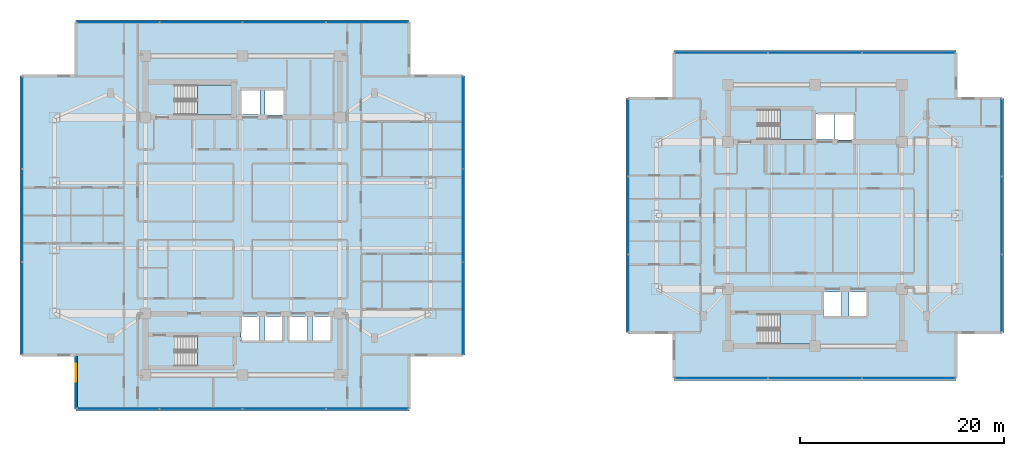
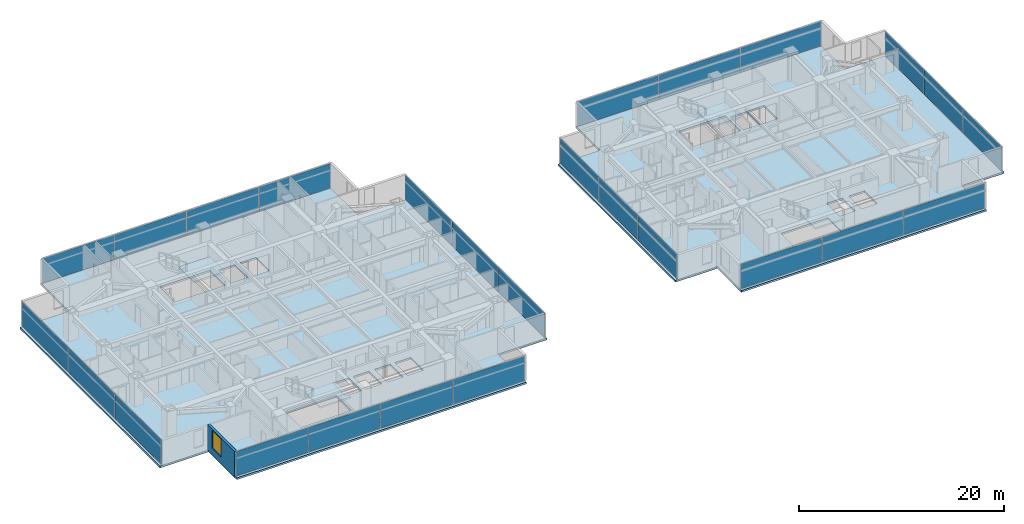
# One storey, part 11 of 24: 26 plates, 6 slabs, 1 wall, 1 window, 1 opening, 12 elements without a shape of their own.
"""IFC4 building model written with IfcOpenShell, lengths in metres."""

from ifc_helpers import new_model, si_unit, direction, frame, frame_2d, origin, origin_2d, place, context, subcontext, project, spatial, polyline, rectangle, outline, extrude, material, layer, layer_set, type_object, element, fill, aggregate, save


model = new_model("IFC4")

# Units and contexts
model_context = context("Model", 3, precision=1e-05, world=origin(), true_north=direction((0.0, 1.0)))
body_context = subcontext(model_context, "Body", "Model", "MODEL_VIEW")
ifc_project = project(units=[si_unit("LENGTHUNIT", "METRE"), si_unit("AREAUNIT", "SQUARE_METRE"), si_unit("VOLUMEUNIT", "CUBIC_METRE"), si_unit("PLANEANGLEUNIT", "RADIAN"), si_unit("MASSUNIT", "GRAM", prefix="KILO")], contexts=[model_context])

# Site, building, storey
site_placement = place(None, origin())
site = spatial("IfcSite", under=ifc_project, at=site_placement, CompositionType="ELEMENT")
building_placement = place(site_placement, origin())
building = spatial("IfcBuilding", under=site, at=building_placement, Name="Mirazonda Arch Towers", CompositionType="ELEMENT")
storey_placement = place(building_placement, frame((0.0, 0.0, 137.89990234375)))
storey = spatial("IfcBuildingStorey", under=building, at=storey_placement, Name="L39", CompositionType="ELEMENT", Elevation=137.89990234375)

# Curtain wall, plates
ifc_material_1 = material(Name="Anodised Aluminium and Low-E Glass", Category="aluminium")
curtain_wall_type = type_object("IfcCurtainWallType", Name="CW-HTL-UNIT", PredefinedType="NOTDEFINED", material=ifc_material_1)
curtain_wall_1_placement = place(storey_placement, origin())
curtain_wall_1 = element("IfcCurtainWall", 1, at=curtain_wall_1_placement, inside=storey, type_object=curtain_wall_type, Name="L39 T1 S Facade CW-L39-T1-S", PredefinedType="NOTDEFINED")
ifc_material_2 = material(Name="Insulated Low-E Solar Glass", Category="glass")
ifc_layer_1 = layer(ifc_material_2, 0.035888671875, Name="PAN-CW-HTL-UNIT")
ifc_layer_set_1 = layer_set([ifc_layer_1], Name="Insulated Low-E Solar Glass")
plate_type = type_object("IfcPlateType", Name="PAN-CW-HTL-UNIT", PredefinedType="CURTAIN_PANEL", material=ifc_layer_set_1)
plate_1_placement = place(storey_placement, frame((32.69873046875, 9.092041015625, 0.0751953125), z_axis=(0.0, 0.0, 1.0), x_axis=(-1.0, 0.0, 0.0)))
plate_1 = element("IfcPlate", 2, at=plate_1_placement, type_object=plate_type, Name="CW-112 panel 1.1", PredefinedType="CURTAIN_PANEL", context=body_context, shape_type="SweptSolid", body=[
    extrude(rectangle(XDim=8.032470703125, YDim=0.035888671875, at=origin_2d()), origin(), (0.0, 0.0, 1.0), 2.909912109375),
])
plate_2_placement = place(storey_placement, frame((24.572509765625, 9.092041015625, 0.0751953125), z_axis=(0.0, 0.0, 1.0), x_axis=(-1.0, 0.0, 0.0)))
plate_2 = element("IfcPlate", 3, at=plate_2_placement, type_object=plate_type, Name="CW-112 panel 2.1", PredefinedType="CURTAIN_PANEL", context=body_context, shape_type="SweptSolid", body=[
    extrude(rectangle(XDim=8.070068359375, YDim=0.035888671875, at=origin_2d()), origin(), (0.0, 0.0, 1.0), 2.909912109375),
])
plate_3_placement = place(storey_placement, frame((16.427490234375, 9.092041015625, 0.0751953125), z_axis=(0.0, 0.0, 1.0), x_axis=(-1.0, 0.0, 0.0)))
plate_3 = element("IfcPlate", 4, at=plate_3_placement, type_object=plate_type, Name="CW-112 panel 3.1", PredefinedType="CURTAIN_PANEL", context=body_context, shape_type="SweptSolid", body=[
    extrude(rectangle(XDim=8.070068359375, YDim=0.035888671875, at=origin_2d()), origin(), (0.0, 0.0, 1.0), 2.909912109375),
])
plate_4_placement = place(storey_placement, frame((8.30126953125, 9.092041015625, 0.0751953125), z_axis=(0.0, 0.0, 1.0), x_axis=(-1.0, 0.0, 0.0)))
plate_4 = element("IfcPlate", 5, at=plate_4_placement, type_object=plate_type, Name="CW-112 panel 4.1", PredefinedType="CURTAIN_PANEL", context=body_context, shape_type="SweptSolid", body=[
    extrude(rectangle(XDim=8.032470703125, YDim=0.035888671875, at=origin_2d()), origin(), (0.0, 0.0, 1.0), 2.909912109375),
])
aggregate(curtain_wall_1, [plate_1, plate_2, plate_3, plate_4])

curtain_wall_2_placement = place(storey_placement, origin())
curtain_wall_2 = element("IfcCurtainWall", 6, at=curtain_wall_2_placement, inside=storey, type_object=curtain_wall_type, Name="L39 T1 E Facade CW-L39-T1-E", PredefinedType="NOTDEFINED")
plate_5_placement = place(storey_placement, frame((42.06005859375, 18.9267578125, 0.0751953125), z_axis=(0.0, 0.0, 1.0), x_axis=(0.0, 1.0, 0.0)))
plate_5 = element("IfcPlate", 7, at=plate_5_placement, type_object=plate_type, Name="CW-112 panel 1.1", PredefinedType="CURTAIN_PANEL", context=body_context, shape_type="SweptSolid", body=[
    extrude(rectangle(XDim=8.9794921875, YDim=0.035888671875, at=origin_2d()), origin(), (0.0, 0.0, 1.0), 2.909912109375),
])
plate_6_placement = place(storey_placement, frame((42.06005859375, 28.0, 0.0751953125), z_axis=(0.0, 0.0, 1.0), x_axis=(0.0, 1.0, 0.0)))
plate_6 = element("IfcPlate", 8, at=plate_6_placement, type_object=plate_type, Name="CW-112 panel 2.1", PredefinedType="CURTAIN_PANEL", context=body_context, shape_type="SweptSolid", body=[
    extrude(rectangle(XDim=9.01708984375, YDim=0.035888671875, at=origin_2d()), origin(), (0.0, 0.0, 1.0), 2.909912109375),
])
plate_7_placement = place(storey_placement, frame((42.06005859375, 37.0732421875, 0.0751953125), z_axis=(0.0, 0.0, 1.0), x_axis=(0.0, 1.0, 0.0)))
plate_7 = element("IfcPlate", 9, at=plate_7_placement, type_object=plate_type, Name="CW-112 panel 3.1", PredefinedType="CURTAIN_PANEL", context=body_context, shape_type="SweptSolid", body=[
    extrude(rectangle(XDim=8.9794921875, YDim=0.035888671875, at=origin_2d()), origin(), (0.0, 0.0, 1.0), 2.909912109375),
])
aggregate(curtain_wall_2, [plate_5, plate_6, plate_7])

curtain_wall_3_placement = place(storey_placement, origin())
curtain_wall_3 = element("IfcCurtainWall", 10, at=curtain_wall_3_placement, inside=storey, type_object=curtain_wall_type, Name="L39 T1 N Facade CW-L39-T1-N", PredefinedType="NOTDEFINED")
plate_8_placement = place(storey_placement, frame((8.30126953125, 46.907958984375, 0.0751953125), z_axis=(0.0, 0.0, 1.0), x_axis=(1.0, 0.0, 0.0)))
plate_8 = element("IfcPlate", 11, at=plate_8_placement, type_object=plate_type, Name="CW-112 panel 1.1", PredefinedType="CURTAIN_PANEL", context=body_context, shape_type="SweptSolid", body=[
    extrude(rectangle(XDim=8.032470703125, YDim=0.035888671875, at=origin_2d()), origin(), (0.0, 0.0, 1.0), 2.909912109375),
])
plate_9_placement = place(storey_placement, frame((16.427490234375, 46.907958984375, 0.0751953125), z_axis=(0.0, 0.0, 1.0), x_axis=(1.0, 0.0, 0.0)))
plate_9 = element("IfcPlate", 12, at=plate_9_placement, type_object=plate_type, Name="CW-112 panel 2.1", PredefinedType="CURTAIN_PANEL", context=body_context, shape_type="SweptSolid", body=[
    extrude(rectangle(XDim=8.070068359375, YDim=0.035888671875, at=origin_2d()), origin(), (0.0, 0.0, 1.0), 2.909912109375),
])
plate_10_placement = place(storey_placement, frame((24.572509765625, 46.907958984375, 0.0751953125), z_axis=(0.0, 0.0, 1.0), x_axis=(1.0, 0.0, 0.0)))
plate_10 = element("IfcPlate", 13, at=plate_10_placement, type_object=plate_type, Name="CW-112 panel 3.1", PredefinedType="CURTAIN_PANEL", context=body_context, shape_type="SweptSolid", body=[
    extrude(rectangle(XDim=8.070068359375, YDim=0.035888671875, at=origin_2d()), origin(), (0.0, 0.0, 1.0), 2.909912109375),
])
plate_11_placement = place(storey_placement, frame((32.69873046875, 46.907958984375, 0.0751953125), z_axis=(0.0, 0.0, 1.0), x_axis=(1.0, 0.0, 0.0)))
plate_11 = element("IfcPlate", 14, at=plate_11_placement, type_object=plate_type, Name="CW-112 panel 4.1", PredefinedType="CURTAIN_PANEL", context=body_context, shape_type="SweptSolid", body=[
    extrude(rectangle(XDim=8.032470703125, YDim=0.035888671875, at=origin_2d()), origin(), (0.0, 0.0, 1.0), 2.909912109375),
])
aggregate(curtain_wall_3, [plate_8, plate_9, plate_10, plate_11])

curtain_wall_4_placement = place(storey_placement, origin())
curtain_wall_4 = element("IfcCurtainWall", 15, at=curtain_wall_4_placement, inside=storey, type_object=curtain_wall_type, Name="L39 T1 W Facade CW-L39-T1-W", PredefinedType="NOTDEFINED")
plate_12_placement = place(storey_placement, frame((-1.06005859375, 37.0732421875, 0.0751953125), z_axis=(0.0, 0.0, 1.0), x_axis=(0.0, -1.0, 0.0)))
plate_12 = element("IfcPlate", 16, at=plate_12_placement, type_object=plate_type, Name="CW-112 panel 1.1", PredefinedType="CURTAIN_PANEL", context=body_context, shape_type="SweptSolid", body=[
    extrude(rectangle(XDim=8.9794921875, YDim=0.035888671875, at=origin_2d()), origin(), (0.0, 0.0, 1.0), 2.909912109375),
])
plate_13_placement = place(storey_placement, frame((-1.06005859375, 28.0, 0.0751953125), z_axis=(0.0, 0.0, 1.0), x_axis=(0.0, -1.0, 0.0)))
plate_13 = element("IfcPlate", 17, at=plate_13_placement, type_object=plate_type, Name="CW-112 panel 2.1", PredefinedType="CURTAIN_PANEL", context=body_context, shape_type="SweptSolid", body=[
    extrude(rectangle(XDim=9.01708984375, YDim=0.035888671875, at=origin_2d()), origin(), (0.0, 0.0, 1.0), 2.909912109375),
])
plate_14_placement = place(storey_placement, frame((-1.06005859375, 18.9267578125, 0.0751953125), z_axis=(0.0, 0.0, 1.0), x_axis=(0.0, -1.0, 0.0)))
plate_14 = element("IfcPlate", 18, at=plate_14_placement, type_object=plate_type, Name="CW-112 panel 3.1", PredefinedType="CURTAIN_PANEL", context=body_context, shape_type="SweptSolid", body=[
    extrude(rectangle(XDim=8.9794921875, YDim=0.035888671875, at=origin_2d()), origin(), (0.0, 0.0, 1.0), 2.909912109375),
])
aggregate(curtain_wall_4, [plate_12, plate_13, plate_14])

curtain_wall_5_placement = place(storey_placement, origin())
curtain_wall_5 = element("IfcCurtainWall", 19, at=curtain_wall_5_placement, inside=storey, type_object=curtain_wall_type, Name="L39 T2 S Facade CW-L39-T2-S", PredefinedType="NOTDEFINED")
plate_15_placement = place(storey_placement, frame((85.67236328125, 12.081298828125, 0.0751953125), z_axis=(0.0, 0.0, 1.0), x_axis=(-1.0, 0.0, 0.0)))
plate_15 = element("IfcPlate", 20, at=plate_15_placement, type_object=plate_type, Name="CW-112 panel 1.1", PredefinedType="CURTAIN_PANEL", context=body_context, shape_type="SweptSolid", body=[
    extrude(rectangle(XDim=9.07861328125, YDim=0.035888671875, at=origin_2d()), origin(), (0.0, 0.0, 1.0), 2.909912109375),
])
plate_16_placement = place(storey_placement, frame((76.5, 12.081298828125, 0.0751953125), z_axis=(0.0, 0.0, 1.0), x_axis=(-1.0, 0.0, 0.0)))
plate_16 = element("IfcPlate", 21, at=plate_16_placement, type_object=plate_type, Name="CW-112 panel 2.1", PredefinedType="CURTAIN_PANEL", context=body_context, shape_type="SweptSolid", body=[
    extrude(rectangle(XDim=9.115966796875, YDim=0.035888671875, at=origin_2d()), origin(), (0.0, 0.0, 1.0), 2.909912109375),
])
plate_17_placement = place(storey_placement, frame((67.32763671875, 12.081298828125, 0.0751953125), z_axis=(0.0, 0.0, 1.0), x_axis=(-1.0, 0.0, 0.0)))
plate_17 = element("IfcPlate", 22, at=plate_17_placement, type_object=plate_type, Name="CW-112 panel 3.1", PredefinedType="CURTAIN_PANEL", context=body_context, shape_type="SweptSolid", body=[
    extrude(rectangle(XDim=9.07861328125, YDim=0.035888671875, at=origin_2d()), origin(), (0.0, 0.0, 1.0), 2.909912109375),
])
aggregate(curtain_wall_5, [plate_15, plate_16, plate_17])

curtain_wall_6_placement = place(storey_placement, origin())
curtain_wall_6 = element("IfcCurtainWall", 23, at=curtain_wall_6_placement, inside=storey, type_object=curtain_wall_type, Name="L39 T2 E Facade CW-L39-T2-E", PredefinedType="NOTDEFINED")
plate_18_placement = place(storey_placement, frame((94.77294921875, 20.397216796875, 0.0751953125), z_axis=(0.0, 0.0, 1.0), x_axis=(0.0, 1.0, 0.0)))
plate_18 = element("IfcPlate", 24, at=plate_18_placement, type_object=plate_type, Name="CW-112 panel 1.1", PredefinedType="CURTAIN_PANEL", context=body_context, shape_type="SweptSolid", body=[
    extrude(rectangle(XDim=7.509033203125, YDim=0.035888671875, at=origin_2d()), origin(), (0.0, 0.0, 1.0), 2.909912109375),
])
plate_19_placement = place(storey_placement, frame((94.77294921875, 28.0, 0.0751953125), z_axis=(0.0, 0.0, 1.0), x_axis=(0.0, 1.0, 0.0)))
plate_19 = element("IfcPlate", 25, at=plate_19_placement, type_object=plate_type, Name="CW-112 panel 2.1", PredefinedType="CURTAIN_PANEL", context=body_context, shape_type="SweptSolid", body=[
    extrude(rectangle(XDim=7.546630859375, YDim=0.035888671875, at=origin_2d()), origin(), (0.0, 0.0, 1.0), 2.909912109375),
])
plate_20_placement = place(storey_placement, frame((94.77294921875, 35.602783203125, 0.0751953125), z_axis=(0.0, 0.0, 1.0), x_axis=(0.0, 1.0, 0.0)))
plate_20 = element("IfcPlate", 26, at=plate_20_placement, type_object=plate_type, Name="CW-112 panel 3.1", PredefinedType="CURTAIN_PANEL", context=body_context, shape_type="SweptSolid", body=[
    extrude(rectangle(XDim=7.509033203125, YDim=0.035888671875, at=origin_2d()), origin(), (0.0, 0.0, 1.0), 2.909912109375),
])
aggregate(curtain_wall_6, [plate_18, plate_19, plate_20])

curtain_wall_7_placement = place(storey_placement, origin())
curtain_wall_7 = element("IfcCurtainWall", 27, at=curtain_wall_7_placement, inside=storey, type_object=curtain_wall_type, Name="L39 T2 N Facade CW-L39-T2-N", PredefinedType="NOTDEFINED")
plate_21_placement = place(storey_placement, frame((67.32763671875, 43.918701171875, 0.0751953125), z_axis=(0.0, 0.0, 1.0), x_axis=(1.0, 0.0, 0.0)))
plate_21 = element("IfcPlate", 28, at=plate_21_placement, type_object=plate_type, Name="CW-112 panel 1.1", PredefinedType="CURTAIN_PANEL", context=body_context, shape_type="SweptSolid", body=[
    extrude(rectangle(XDim=9.07861328125, YDim=0.035888671875, at=origin_2d()), origin(), (0.0, 0.0, 1.0), 2.909912109375),
])
plate_22_placement = place(storey_placement, frame((76.5, 43.918701171875, 0.0751953125), z_axis=(0.0, 0.0, 1.0), x_axis=(1.0, 0.0, 0.0)))
plate_22 = element("IfcPlate", 29, at=plate_22_placement, type_object=plate_type, Name="CW-112 panel 2.1", PredefinedType="CURTAIN_PANEL", context=body_context, shape_type="SweptSolid", body=[
    extrude(rectangle(XDim=9.115966796875, YDim=0.035888671875, at=origin_2d()), origin(), (0.0, 0.0, 1.0), 2.909912109375),
])
plate_23_placement = place(storey_placement, frame((85.67236328125, 43.918701171875, 0.0751953125), z_axis=(0.0, 0.0, 1.0), x_axis=(1.0, 0.0, 0.0)))
plate_23 = element("IfcPlate", 30, at=plate_23_placement, type_object=plate_type, Name="CW-112 panel 3.1", PredefinedType="CURTAIN_PANEL", context=body_context, shape_type="SweptSolid", body=[
    extrude(rectangle(XDim=9.07861328125, YDim=0.035888671875, at=origin_2d()), origin(), (0.0, 0.0, 1.0), 2.909912109375),
])
aggregate(curtain_wall_7, [plate_21, plate_22, plate_23])

curtain_wall_8_placement = place(storey_placement, origin())
curtain_wall_8 = element("IfcCurtainWall", 31, at=curtain_wall_8_placement, inside=storey, type_object=curtain_wall_type, Name="L39 T2 W Facade CW-L39-T2-W", PredefinedType="NOTDEFINED")
plate_24_placement = place(storey_placement, frame((58.22705078125, 35.602783203125, 0.0751953125), z_axis=(0.0, 0.0, 1.0), x_axis=(0.0, -1.0, 0.0)))
plate_24 = element("IfcPlate", 32, at=plate_24_placement, type_object=plate_type, Name="CW-112 panel 1.1", PredefinedType="CURTAIN_PANEL", context=body_context, shape_type="SweptSolid", body=[
    extrude(rectangle(XDim=7.509033203125, YDim=0.035888671875, at=origin_2d()), origin(), (0.0, 0.0, 1.0), 2.909912109375),
])
plate_25_placement = place(storey_placement, frame((58.22705078125, 28.0, 0.0751953125), z_axis=(0.0, 0.0, 1.0), x_axis=(0.0, -1.0, 0.0)))
plate_25 = element("IfcPlate", 33, at=plate_25_placement, type_object=plate_type, Name="CW-112 panel 2.1", PredefinedType="CURTAIN_PANEL", context=body_context, shape_type="SweptSolid", body=[
    extrude(rectangle(XDim=7.546630859375, YDim=0.035888671875, at=origin_2d()), origin(), (0.0, 0.0, 1.0), 2.909912109375),
])
plate_26_placement = place(storey_placement, frame((58.22705078125, 20.397216796875, 0.0751953125), z_axis=(0.0, 0.0, 1.0), x_axis=(0.0, -1.0, 0.0)))
plate_26 = element("IfcPlate", 34, at=plate_26_placement, type_object=plate_type, Name="CW-112 panel 3.1", PredefinedType="CURTAIN_PANEL", context=body_context, shape_type="SweptSolid", body=[
    extrude(rectangle(XDim=7.509033203125, YDim=0.035888671875, at=origin_2d()), origin(), (0.0, 0.0, 1.0), 2.909912109375),
])
aggregate(curtain_wall_8, [plate_24, plate_25, plate_26])

# Stair, slab
ifc_material_3 = material(Name="Concrete C40/50", Category="concrete")
stair_type = type_object("IfcStairType", Name="STAIR-CORE-1400", PredefinedType="HALF_TURN_STAIR", material=ifc_material_3)
stair_1_placement = place(storey_placement, origin())
stair_1 = element("IfcStair", 35, at=stair_1_placement, inside=storey, type_object=stair_type, Name="L39 Protected Exit Stair ST-T1N", PredefinedType="HALF_TURN_STAIR")
ifc_layer_2 = layer(ifc_material_3, 0.18994140625, Name="SLAB-LANDING-190")
ifc_layer_set_2 = layer_set([ifc_layer_2], Name="Concrete C40/50")
slab_type_1 = type_object("IfcSlabType", Name="SLAB-LANDING-190", PredefinedType="LANDING", material=ifc_layer_set_2)
slab_1_placement = place(storey_placement, frame((0.0, 0.0, 1.4501953125)))
slab_1 = element("IfcSlab", 36, at=slab_1_placement, type_object=slab_type_1, Name="ST-T1N landing 1", PredefinedType="LANDING", context=body_context, shape_type="SweptSolid", body=[
    extrude(outline(polyline([(16.090087890625, 37.820068359375), (19.60009765625, 37.820068359375), (19.60009765625, 40.760009765625), (16.090087890625, 40.760009765625), (16.090087890625, 37.820068359375)])), origin(), (0.0, 0.0, 1.0), 0.199951171875),
])
aggregate(stair_1, [slab_1])

stair_2_placement = place(storey_placement, origin())
stair_2 = element("IfcStair", 37, at=stair_2_placement, inside=storey, type_object=stair_type, Name="L39 Protected Exit Stair ST-T1S", PredefinedType="HALF_TURN_STAIR")
slab_2_placement = place(storey_placement, frame((0.0, 0.0, 1.4501953125)))
slab_2 = element("IfcSlab", 38, at=slab_2_placement, type_object=slab_type_1, Name="ST-T1S landing 1", PredefinedType="LANDING", context=body_context, shape_type="SweptSolid", body=[
    extrude(outline(polyline([(16.090087890625, 13.25), (19.60009765625, 13.25), (19.60009765625, 16.18994140625), (16.090087890625, 16.18994140625), (16.090087890625, 13.25)])), origin(), (0.0, 0.0, 1.0), 0.199951171875),
])
aggregate(stair_2, [slab_2])

stair_3_placement = place(storey_placement, origin())
stair_3 = element("IfcStair", 39, at=stair_3_placement, inside=storey, type_object=stair_type, Name="L39 Protected Exit Stair ST-T2N", PredefinedType="HALF_TURN_STAIR")
slab_3_placement = place(storey_placement, frame((0.0, 0.0, 1.4501953125)))
slab_3 = element("IfcSlab", 40, at=slab_3_placement, type_object=slab_type_1, Name="ST-T2N landing 1", PredefinedType="LANDING", context=body_context, shape_type="SweptSolid", body=[
    extrude(outline(polyline([(73.090087890625, 35.419921875), (76.22998046875, 35.419921875), (76.22998046875, 38.360107421875), (73.090087890625, 38.360107421875), (73.090087890625, 35.419921875)])), origin(), (0.0, 0.0, 1.0), 0.199951171875),
])
aggregate(stair_3, [slab_3])

stair_4_placement = place(storey_placement, origin())
stair_4 = element("IfcStair", 41, at=stair_4_placement, inside=storey, type_object=stair_type, Name="L39 Protected Exit Stair ST-T2S", PredefinedType="HALF_TURN_STAIR")
slab_4_placement = place(storey_placement, frame((0.0, 0.0, 1.4501953125)))
slab_4 = element("IfcSlab", 42, at=slab_4_placement, type_object=slab_type_1, Name="ST-T2S landing 1", PredefinedType="LANDING", context=body_context, shape_type="SweptSolid", body=[
    extrude(outline(polyline([(73.090087890625, 15.419921875), (76.22998046875, 15.419921875), (76.22998046875, 18.360107421875), (73.090087890625, 18.360107421875), (73.090087890625, 15.419921875)])), origin(), (0.0, 0.0, 1.0), 0.199951171875),
])
aggregate(stair_4, [slab_4])

# Slabs
ifc_layer_3 = layer(ifc_material_3, 0.219970703125, Name="SLAB-TWR-220")
ifc_layer_set_3 = layer_set([ifc_layer_3], Name="Concrete C40/50")
slab_type_2 = type_object("IfcSlabType", Name="SLAB-TWR-220", PredefinedType="FLOOR", material=ifc_layer_set_3)
slab_5_placement = place(storey_placement, frame((0.0, 0.0, -0.219970703125)))
element("IfcSlab", 43, at=slab_5_placement, inside=storey, type_object=slab_type_2, Name="L39 Tower 1 Floor Slab", PredefinedType="FLOOR", context=body_context, shape_type="SweptSolid", body=[
    extrude(outline(polyline([(4.2099609375, 8.8720703125), (36.7900390625, 8.8720703125), (36.7900390625, 14.362060546875), (42.280029296875, 14.362060546875), (42.280029296875, 41.637939453125), (36.7900390625, 41.637939453125), (36.7900390625, 47.1279296875), (4.2099609375, 47.1279296875), (4.2099609375, 41.637939453125), (-1.280029296875, 41.637939453125), (-1.280029296875, 14.362060546875), (4.2099609375, 14.362060546875), (4.2099609375, 8.8720703125)]), holes=[polyline([(27.360107421875, 18.139892578125), (29.139892578125, 18.139892578125), (29.139892578125, 15.659912109375), (27.360107421875, 15.659912109375), (27.360107421875, 18.139892578125)]), polyline([(25.06005859375, 18.139892578125), (26.840087890625, 18.139892578125), (26.840087890625, 15.659912109375), (25.06005859375, 15.659912109375), (25.06005859375, 18.139892578125)]), polyline([(22.7099609375, 40.389892578125), (24.590087890625, 40.389892578125), (24.590087890625, 37.81005859375), (22.7099609375, 37.81005859375), (22.7099609375, 40.389892578125)]), polyline([(22.659912109375, 18.139892578125), (24.43994140625, 18.139892578125), (24.43994140625, 15.659912109375), (22.659912109375, 15.659912109375), (22.659912109375, 18.139892578125)]), polyline([(20.31005859375, 40.340087890625), (22.18994140625, 40.340087890625), (22.18994140625, 37.860107421875), (20.31005859375, 37.860107421875), (20.31005859375, 40.340087890625)]), polyline([(20.360107421875, 18.139892578125), (22.139892578125, 18.139892578125), (22.139892578125, 15.659912109375), (20.360107421875, 15.659912109375), (20.360107421875, 18.139892578125)]), polyline([(13.925048828125, 13.25), (13.925048828125, 16.18994140625), (19.60009765625, 16.18994140625), (19.60009765625, 13.25), (13.925048828125, 13.25)]), polyline([(13.925048828125, 37.820068359375), (13.925048828125, 40.760009765625), (19.60009765625, 40.760009765625), (19.60009765625, 37.820068359375), (13.925048828125, 37.820068359375)])]), origin(), (0.0, 0.0, 1.0), 0.219970703125),
])
slab_6_placement = place(storey_placement, frame((0.0, 0.0, -0.219970703125)))
element("IfcSlab", 44, at=slab_6_placement, inside=storey, type_object=slab_type_2, Name="L39 Tower 2 Floor Slab", PredefinedType="FLOOR", context=body_context, shape_type="SweptSolid", body=[
    extrude(outline(polyline([(62.71337890625, 11.861083984375), (90.28662109375, 11.861083984375), (90.28662109375, 16.567626953125), (94.992919921875, 16.567626953125), (94.992919921875, 39.432373046875), (90.28662109375, 39.432373046875), (90.28662109375, 44.138916015625), (62.71337890625, 44.138916015625), (62.71337890625, 39.432373046875), (58.007080078125, 39.432373046875), (58.007080078125, 16.567626953125), (62.71337890625, 16.567626953125), (62.71337890625, 11.861083984375)]), holes=[polyline([(79.81005859375, 20.5400390625), (81.590087890625, 20.5400390625), (81.590087890625, 18.06005859375), (79.81005859375, 18.06005859375), (79.81005859375, 20.5400390625)]), polyline([(78.47998046875, 37.989990234375), (80.360107421875, 37.989990234375), (80.360107421875, 35.409912109375), (78.47998046875, 35.409912109375), (78.47998046875, 37.989990234375)]), polyline([(77.31005859375, 20.5400390625), (79.090087890625, 20.5400390625), (79.090087890625, 18.06005859375), (77.31005859375, 18.06005859375), (77.31005859375, 20.5400390625)]), polyline([(76.510009765625, 35.4599609375), (76.510009765625, 37.93994140625), (78.389892578125, 37.93994140625), (78.389892578125, 35.4599609375), (76.510009765625, 35.4599609375)]), polyline([(76.22998046875, 15.419921875), (70.925048828125, 15.419921875), (70.925048828125, 18.360107421875), (76.22998046875, 18.360107421875), (76.22998046875, 15.419921875)]), polyline([(70.925048828125, 35.419921875), (70.925048828125, 38.360107421875), (76.22998046875, 38.360107421875), (76.22998046875, 35.419921875), (70.925048828125, 35.419921875)])]), origin(), (0.0, 0.0, 1.0), 0.219970703125),
])

# Wall, opening, window
ifc_material_4 = material(Name="Precast Concrete C40/50", Category="concrete")
ifc_layer_4 = layer(ifc_material_4, 0.280029296875, Name="WALL-EXT-WALL-280")
ifc_layer_set_4 = layer_set([ifc_layer_4], Name="Precast Concrete C40/50")
wall_type = type_object("IfcWallType", Name="WALL-EXT-WALL-280", PredefinedType="SOLIDWALL", material=ifc_layer_set_4)
wall_placement = place(storey_placement, frame((4.2099609375, 14.362060546875, 0.0), z_axis=(0.0, 0.0, 1.0), x_axis=(0.0, -1.0, 0.0)))
wall = element("IfcWall", 45, at=wall_placement, inside=storey, type_object=wall_type, Name="L39 T1 Notched SW Corner Wall WL-L39-T1-CSW", PredefinedType="SOLIDWALL", context=body_context, shape_type="SweptSolid", body=[
    extrude(rectangle(XDim=5.27001953125, YDim=0.280029296875, at=frame_2d((2.635009765625, 0.0))), origin(), (0.0, 0.0, 1.0), 3.06005859375),
])
opening_placement = place(wall_placement, frame((0.85009765625, 0.0, 0.81005859375)))
opening = element("IfcOpeningElement", 46, at=opening_placement, cuts=wall, Name="Opening WN-116", PredefinedType="OPENING", context=body_context, shape_type="SweptSolid", body=[
    extrude(rectangle(XDim=1.800048828125, YDim=2.10009765625, at=frame_2d((0.89990234375, 1.050048828125))), frame((0.0, 0.14990234375, 0.0), z_axis=(0.0, -1.0, 0.0), x_axis=(1.0, 0.0, 0.0)), (0.0, 0.0, 1.0), 0.300048828125),
])
window_type = type_object("IfcWindowType", Name="WIN-HTL-1800x2100", PartitioningType="SINGLE_PANEL", PredefinedType="WINDOW", material=ifc_material_2)
window_placement = place(opening_placement, origin())
window = element("IfcWindow", 47, at=window_placement, inside=storey, type_object=window_type, Name="L39 Punched Facade Window WN-L39-T1-CSW", OverallHeight=2.10009765625, OverallWidth=1.800048828125, PartitioningType="SINGLE_PANEL", PredefinedType="WINDOW", context=body_context, shape_type="SweptSolid", body=[
    extrude(rectangle(XDim=1.800048828125, YDim=2.10009765625, at=frame_2d((0.89990234375, 1.050048828125))), frame((0.0, 0.030029296875, 0.0), z_axis=(0.0, -1.0, 0.0), x_axis=(1.0, 0.0, 0.0)), (0.0, 0.0, 1.0), 0.06005859375),
])
fill(opening, window)

save(model, "model.ifc")
